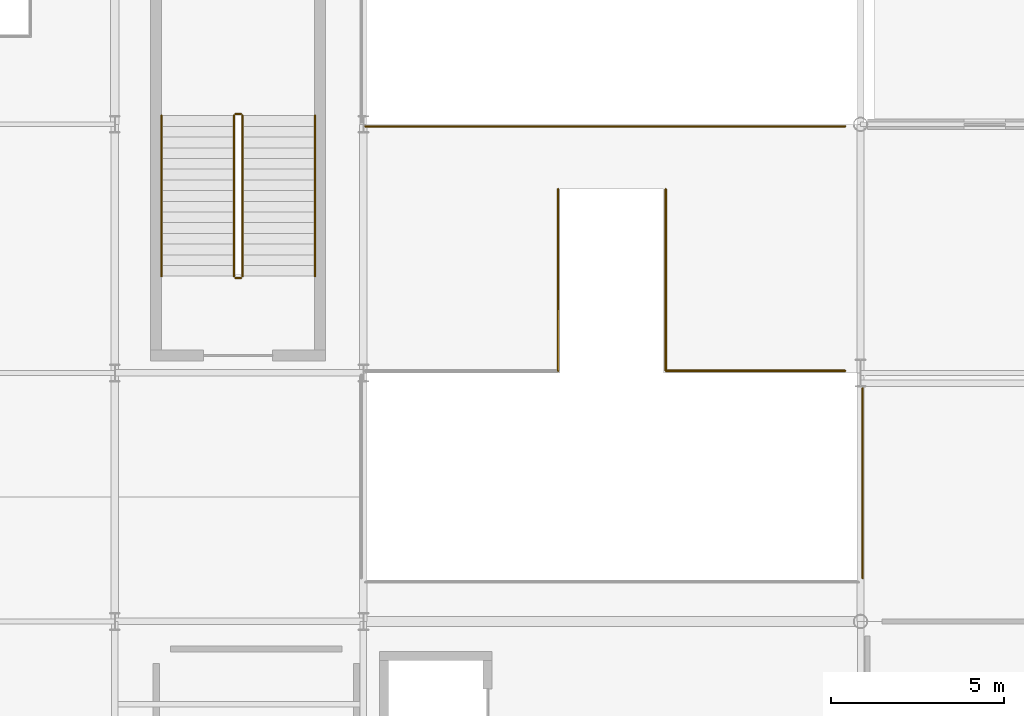
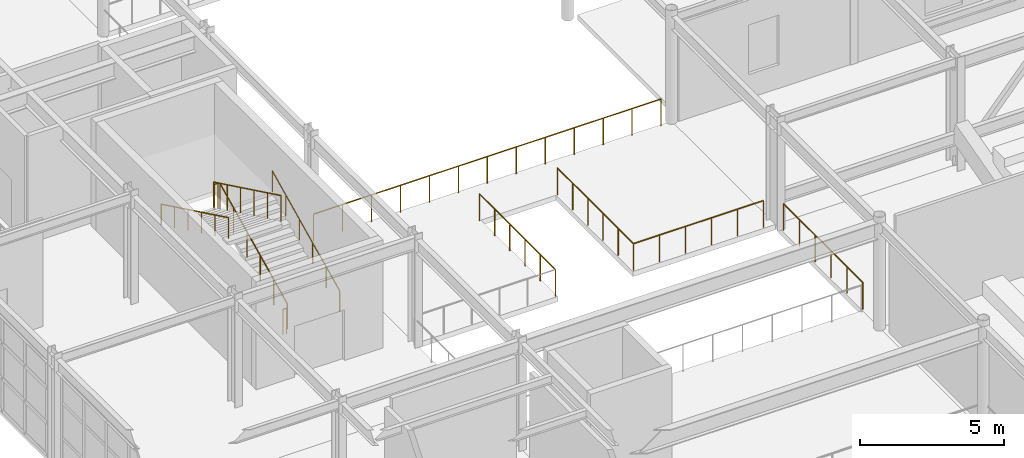
# One storey, part 113 of 121: 11 railings.
"""IFC4 building model written with IfcOpenShell, lengths in metres."""

from ifc_helpers import new_model, si_unit, direction, frame, origin, origin_2d, place, context, subcontext, project, spatial, circle, extrude, material, type_object, element, save


model = new_model("IFC4")

# Units and contexts
model_context = context("Model", 3, precision=1e-05, world=origin(), true_north=direction((0.0, 1.0)))
body_context = subcontext(model_context, "Body", "Model", "MODEL_VIEW")
ifc_project = project(units=[si_unit("LENGTHUNIT", "METRE"), si_unit("AREAUNIT", "SQUARE_METRE"), si_unit("VOLUMEUNIT", "CUBIC_METRE"), si_unit("PLANEANGLEUNIT", "RADIAN"), si_unit("MASSUNIT", "GRAM", prefix="KILO")], contexts=[model_context])

# Site, building, storey
site_placement = place(None, origin())
site = spatial("IfcSite", under=ifc_project, at=site_placement, CompositionType="ELEMENT")
building_placement = place(site_placement, origin())
building = spatial("IfcBuilding", under=site, at=building_placement, Name="Solvadek Multi-Sports Hall", CompositionType="ELEMENT")
storey_placement = place(building_placement, frame((0.0, 0.0, 4.800048828125)))
storey = spatial("IfcBuildingStorey", under=building, at=storey_placement, Name="L01", CompositionType="ELEMENT", Elevation=4.800048828125)

# Railings
ifc_material = material(Name="Steel E250 (250 MPa)", Category="steel")
railing_type_1 = type_object("IfcRailingType", Name="INT-RAL-GRD115", PredefinedType="BALUSTRADE", material=ifc_material)
railing_1_placement = place(storey_placement, frame((68.5, 44.800048828125, 0.14990234375)))
element("IfcRailing", 1, at=railing_1_placement, inside=storey, type_object=railing_type_1, Name="L01 ST-04 stair guard 1", PredefinedType="BALUSTRADE", context=body_context, shape_type="SweptSolid", body=[
    extrude(circle(Radius=0.02392578125, at=origin_2d()), frame((0.0, 0.0, 1.076171875), z_axis=(0.0, 0.900155664878, 0.435568340204), x_axis=(-1.0, 0.0, 0.0)), (0.0, 0.0, 1.0), 5.165771484375),
    extrude(circle(Radius=0.02099609375, at=origin_2d()), origin(), (0.0, 0.0, 1.0), 1.052001953125),
    extrude(circle(Radius=0.02099609375, at=origin_2d()), frame((0.0, 0.929931640625, 0.449951171875)), (0.0, 0.0, 1.0), 1.052001953125),
    extrude(circle(Radius=0.02099609375, at=origin_2d()), frame((0.0, 1.85986328125, 0.89990234375)), (0.0, 0.0, 1.0), 1.052001953125),
    extrude(circle(Radius=0.02099609375, at=origin_2d()), frame((0.0, 2.7900390625, 1.35009765625)), (0.0, 0.0, 1.0), 1.052001953125),
    extrude(circle(Radius=0.02099609375, at=origin_2d()), frame((0.0, 3.719970703125, 1.800048828125)), (0.0, 0.0, 1.0), 1.052001953125),
    extrude(circle(Radius=0.02099609375, at=origin_2d()), frame((0.0, 4.64990234375, 2.25)), (0.0, 0.0, 1.0), 1.052001953125),
])
railing_2_placement = place(storey_placement, frame((68.449951171875, 49.5, 2.39990234375)))
element("IfcRailing", 2, at=railing_2_placement, inside=storey, type_object=railing_type_1, Name="L01 ST-04 stair guard 2", PredefinedType="BALUSTRADE", context=body_context, shape_type="SweptSolid", body=[
    extrude(circle(Radius=0.02392578125, at=origin_2d()), frame((0.0, 0.0, 1.076171875), z_axis=(-1.0, 0.0, 0.0), x_axis=(0.0, -1.0, 0.0)), (0.0, 0.0, 1.0), 0.14990234375),
    extrude(circle(Radius=0.02099609375, at=origin_2d()), origin(), (0.0, 0.0, 1.0), 1.052001953125),
    extrude(circle(Radius=0.02099609375, at=origin_2d()), frame((-0.14990234375, 0.0, 0.0)), (0.0, 0.0, 1.0), 1.052001953125),
])
railing_3_placement = place(storey_placement, frame((68.25, 49.449951171875, 2.550048828125)))
element("IfcRailing", 3, at=railing_3_placement, inside=storey, type_object=railing_type_1, Name="L01 ST-04 stair guard 3", PredefinedType="BALUSTRADE", context=body_context, shape_type="SweptSolid", body=[
    extrude(circle(Radius=0.02392578125, at=origin_2d()), frame((0.0, 0.0, 1.076171875), z_axis=(0.0, -0.900155664878, 0.435568340204), x_axis=(1.0, 0.0, 0.0)), (0.0, 0.0, 1.0), 5.165771484375),
    extrude(circle(Radius=0.02099609375, at=origin_2d()), origin(), (0.0, 0.0, 1.0), 1.052001953125),
    extrude(circle(Radius=0.02099609375, at=origin_2d()), frame((0.0, -0.929931640625, 0.449951171875)), (0.0, 0.0, 1.0), 1.052001953125),
    extrude(circle(Radius=0.02099609375, at=origin_2d()), frame((0.0, -1.85986328125, 0.89990234375)), (0.0, 0.0, 1.0), 1.052001953125),
    extrude(circle(Radius=0.02099609375, at=origin_2d()), frame((0.0, -2.7900390625, 1.35009765625)), (0.0, 0.0, 1.0), 1.052001953125),
    extrude(circle(Radius=0.02099609375, at=origin_2d()), frame((0.0, -3.719970703125, 1.800048828125)), (0.0, 0.0, 1.0), 1.052001953125),
    extrude(circle(Radius=0.02099609375, at=origin_2d()), frame((0.0, -4.64990234375, 2.25)), (0.0, 0.0, 1.0), 1.052001953125),
])
railing_4_placement = place(storey_placement, frame((68.449951171875, 44.75, 0.0)))
element("IfcRailing", 4, at=railing_4_placement, inside=storey, type_object=railing_type_1, Name="L01 ST-04 stair guard 4", PredefinedType="BALUSTRADE", context=body_context, shape_type="SweptSolid", body=[
    extrude(circle(Radius=0.02392578125, at=origin_2d()), frame((0.0, 0.0, 1.076171875), z_axis=(-1.0, 0.0, 0.0), x_axis=(0.0, -1.0, 0.0)), (0.0, 0.0, 1.0), 0.14990234375),
    extrude(circle(Radius=0.02099609375, at=origin_2d()), origin(), (0.0, 0.0, 1.0), 1.052001953125),
    extrude(circle(Radius=0.02099609375, at=origin_2d()), frame((-0.14990234375, 0.0, 0.0)), (0.0, 0.0, 1.0), 1.052001953125),
])
for number, where, name in (
    (5, (77.639892578125, 47.320068359375, 0.0), "L01 Void Edge Balustrade Guard #2"),
    (6, (80.760009765625, 47.320068359375, 0.0), "L01 Void Edge Balustrade Guard #3"),
):
    element("IfcRailing", number, at=place(storey_placement, frame(where)), inside=storey, type_object=railing_type_1, Name=name, PredefinedType="BALUSTRADE", context=body_context, shape_type="SweptSolid", body=[
        extrude(circle(Radius=0.02392578125, at=origin_2d()), frame((0.0, 0.0, 1.1259765625), z_axis=(0.0, -1.0, 0.0), x_axis=(1.0, 0.0, 0.0)), (0.0, 0.0, 1.0), 5.260009765625),
        extrude(circle(Radius=0.02099609375, at=origin_2d()), origin(), (0.0, 0.0, 1.0), 1.101806640625),
        extrude(circle(Radius=0.02099609375, at=origin_2d()), frame((0.0, -1.052001953125, 0.0)), (0.0, 0.0, 1.0), 1.101806640625),
        extrude(circle(Radius=0.02099609375, at=origin_2d()), frame((0.0, -2.10400390625, 0.0)), (0.0, 0.0, 1.0), 1.101806640625),
        extrude(circle(Radius=0.02099609375, at=origin_2d()), frame((0.0, -3.156005859375, 0.0)), (0.0, 0.0, 1.0), 1.101806640625),
        extrude(circle(Radius=0.02099609375, at=origin_2d()), frame((0.0, -4.2080078125, 0.0)), (0.0, 0.0, 1.0), 1.101806640625),
        extrude(circle(Radius=0.02099609375, at=origin_2d()), frame((0.0, -5.260009765625, 0.0)), (0.0, 0.0, 1.0), 1.101806640625),
    ])
railing_5_placement = place(storey_placement, frame((86.4599609375, 36.06005859375, 0.0)))
element("IfcRailing", 7, at=railing_5_placement, inside=storey, type_object=railing_type_1, Name="L01 Void Edge Balustrade Guard #16", PredefinedType="BALUSTRADE", context=body_context, shape_type="SweptSolid", body=[
    extrude(circle(Radius=0.02392578125, at=origin_2d()), frame((0.0, 0.0, 1.1259765625), z_axis=(0.0, 1.0, 0.0), x_axis=(-1.0, 0.0, 0.0)), (0.0, 0.0, 1.0), 5.489990234375),
    extrude(circle(Radius=0.02099609375, at=origin_2d()), origin(), (0.0, 0.0, 1.0), 1.101806640625),
    extrude(circle(Radius=0.02099609375, at=origin_2d()), frame((0.0, 1.097900390625, 0.0)), (0.0, 0.0, 1.0), 1.101806640625),
    extrude(circle(Radius=0.02099609375, at=origin_2d()), frame((0.0, 2.196044921875, 0.0)), (0.0, 0.0, 1.0), 1.101806640625),
    extrude(circle(Radius=0.02099609375, at=origin_2d()), frame((0.0, 3.2939453125, 0.0)), (0.0, 0.0, 1.0), 1.101806640625),
    extrude(circle(Radius=0.02099609375, at=origin_2d()), frame((0.0, 4.39208984375, 0.0)), (0.0, 0.0, 1.0), 1.101806640625),
    extrude(circle(Radius=0.02099609375, at=origin_2d()), frame((0.0, 5.489990234375, 0.0)), (0.0, 0.0, 1.0), 1.101806640625),
])
railing_6_placement = place(storey_placement, frame((80.760009765625, 42.06005859375, 0.0)))
element("IfcRailing", 8, at=railing_6_placement, inside=storey, type_object=railing_type_1, Name="L01 Void Edge Balustrade Guard #50", PredefinedType="BALUSTRADE", context=body_context, shape_type="SweptSolid", body=[
    extrude(circle(Radius=0.02392578125, at=origin_2d()), frame((0.0, 0.0, 1.1259765625), z_axis=(1.0, 0.0, 0.0), x_axis=(0.0, 1.0, 0.0)), (0.0, 0.0, 1.0), 5.18994140625),
    extrude(circle(Radius=0.02099609375, at=origin_2d()), origin(), (0.0, 0.0, 1.0), 1.101806640625),
    extrude(circle(Radius=0.02099609375, at=origin_2d()), frame((1.0380859375, 0.0, 0.0)), (0.0, 0.0, 1.0), 1.101806640625),
    extrude(circle(Radius=0.02099609375, at=origin_2d()), frame((2.075927734375, 0.0, 0.0)), (0.0, 0.0, 1.0), 1.101806640625),
    extrude(circle(Radius=0.02099609375, at=origin_2d()), frame((3.114013671875, 0.0, 0.0)), (0.0, 0.0, 1.0), 1.101806640625),
    extrude(circle(Radius=0.02099609375, at=origin_2d()), frame((4.15185546875, 0.0, 0.0)), (0.0, 0.0, 1.0), 1.101806640625),
    extrude(circle(Radius=0.02099609375, at=origin_2d()), frame((5.18994140625, 0.0, 0.0)), (0.0, 0.0, 1.0), 1.101806640625),
])
railing_7_placement = place(storey_placement, frame((72.06005859375, 49.139892578125, 0.0)))
element("IfcRailing", 9, at=railing_7_placement, inside=storey, type_object=railing_type_1, Name="L01 Void Edge Balustrade Guard #51", PredefinedType="BALUSTRADE", context=body_context, shape_type="SweptSolid", body=[
    extrude(circle(Radius=0.02392578125, at=origin_2d()), frame((0.0, 0.0, 1.1259765625), z_axis=(1.0, 0.0, 0.0), x_axis=(0.0, 1.0, 0.0)), (0.0, 0.0, 1.0), 13.889892578125),
    extrude(circle(Radius=0.02099609375, at=origin_2d()), origin(), (0.0, 0.0, 1.0), 1.101806640625),
    extrude(circle(Radius=0.02099609375, at=origin_2d()), frame((1.157470703125, 0.0, 0.0)), (0.0, 0.0, 1.0), 1.101806640625),
    extrude(circle(Radius=0.02099609375, at=origin_2d()), frame((2.31494140625, 0.0, 0.0)), (0.0, 0.0, 1.0), 1.101806640625),
    extrude(circle(Radius=0.02099609375, at=origin_2d()), frame((3.472412109375, 0.0, 0.0)), (0.0, 0.0, 1.0), 1.101806640625),
    extrude(circle(Radius=0.02099609375, at=origin_2d()), frame((4.6298828125, 0.0, 0.0)), (0.0, 0.0, 1.0), 1.101806640625),
    extrude(circle(Radius=0.02099609375, at=origin_2d()), frame((5.787353515625, 0.0, 0.0)), (0.0, 0.0, 1.0), 1.101806640625),
    extrude(circle(Radius=0.02099609375, at=origin_2d()), frame((6.94482421875, 0.0, 0.0)), (0.0, 0.0, 1.0), 1.101806640625),
    extrude(circle(Radius=0.02099609375, at=origin_2d()), frame((8.1025390625, 0.0, 0.0)), (0.0, 0.0, 1.0), 1.101806640625),
    extrude(circle(Radius=0.02099609375, at=origin_2d()), frame((9.260009765625, 0.0, 0.0)), (0.0, 0.0, 1.0), 1.101806640625),
    extrude(circle(Radius=0.02099609375, at=origin_2d()), frame((10.41748046875, 0.0, 0.0)), (0.0, 0.0, 1.0), 1.101806640625),
    extrude(circle(Radius=0.02099609375, at=origin_2d()), frame((11.574951171875, 0.0, 0.0)), (0.0, 0.0, 1.0), 1.101806640625),
    extrude(circle(Radius=0.02099609375, at=origin_2d()), frame((12.732421875, 0.0, 0.0)), (0.0, 0.0, 1.0), 1.101806640625),
    extrude(circle(Radius=0.02099609375, at=origin_2d()), frame((13.889892578125, 0.0, 0.0)), (0.0, 0.0, 1.0), 1.101806640625),
])
railing_type_2 = type_object("IfcRailingType", Name="INT-RAL-HND090", PredefinedType="HANDRAIL", material=ifc_material)
railing_8_placement = place(storey_placement, frame((70.60009765625, 44.800048828125, 0.14990234375)))
element("IfcRailing", 10, at=railing_8_placement, inside=storey, type_object=railing_type_2, Name="L01 ST-04 stair handrail 1", PredefinedType="HANDRAIL", context=body_context, shape_type="SweptSolid", body=[
    extrude(circle(Radius=0.02392578125, at=origin_2d()), frame((0.0, 0.0, 0.8759765625), z_axis=(0.0, 0.900155664878, 0.435568340204), x_axis=(-1.0, 0.0, 0.0)), (0.0, 0.0, 1.0), 5.165771484375),
    extrude(circle(Radius=0.02099609375, at=origin_2d()), origin(), (0.0, 0.0, 1.0), 0.851806640625),
    extrude(circle(Radius=0.02099609375, at=origin_2d()), frame((0.0, 0.929931640625, 0.449951171875)), (0.0, 0.0, 1.0), 0.851806640625),
    extrude(circle(Radius=0.02099609375, at=origin_2d()), frame((0.0, 1.85986328125, 0.89990234375)), (0.0, 0.0, 1.0), 0.851806640625),
    extrude(circle(Radius=0.02099609375, at=origin_2d()), frame((0.0, 2.7900390625, 1.35009765625)), (0.0, 0.0, 1.0), 0.851806640625),
    extrude(circle(Radius=0.02099609375, at=origin_2d()), frame((0.0, 3.719970703125, 1.800048828125)), (0.0, 0.0, 1.0), 0.851806640625),
    extrude(circle(Radius=0.02099609375, at=origin_2d()), frame((0.0, 4.64990234375, 2.25)), (0.0, 0.0, 1.0), 0.851806640625),
])
railing_9_placement = place(storey_placement, frame((66.14990234375, 49.449951171875, 2.550048828125)))
element("IfcRailing", 11, at=railing_9_placement, inside=storey, type_object=railing_type_2, Name="L01 ST-04 stair handrail 2", PredefinedType="HANDRAIL", context=body_context, shape_type="SweptSolid", body=[
    extrude(circle(Radius=0.02392578125, at=origin_2d()), frame((0.0, 0.0, 0.8759765625), z_axis=(0.0, -0.900155664878, 0.435568340204), x_axis=(1.0, 0.0, 0.0)), (0.0, 0.0, 1.0), 5.165771484375),
    extrude(circle(Radius=0.02099609375, at=origin_2d()), origin(), (0.0, 0.0, 1.0), 0.851806640625),
    extrude(circle(Radius=0.02099609375, at=origin_2d()), frame((0.0, -0.929931640625, 0.449951171875)), (0.0, 0.0, 1.0), 0.851806640625),
    extrude(circle(Radius=0.02099609375, at=origin_2d()), frame((0.0, -1.85986328125, 0.89990234375)), (0.0, 0.0, 1.0), 0.851806640625),
    extrude(circle(Radius=0.02099609375, at=origin_2d()), frame((0.0, -2.7900390625, 1.35009765625)), (0.0, 0.0, 1.0), 0.851806640625),
    extrude(circle(Radius=0.02099609375, at=origin_2d()), frame((0.0, -3.719970703125, 1.800048828125)), (0.0, 0.0, 1.0), 0.851806640625),
    extrude(circle(Radius=0.02099609375, at=origin_2d()), frame((0.0, -4.64990234375, 2.25)), (0.0, 0.0, 1.0), 0.851806640625),
])

save(model, "model.ifc")
